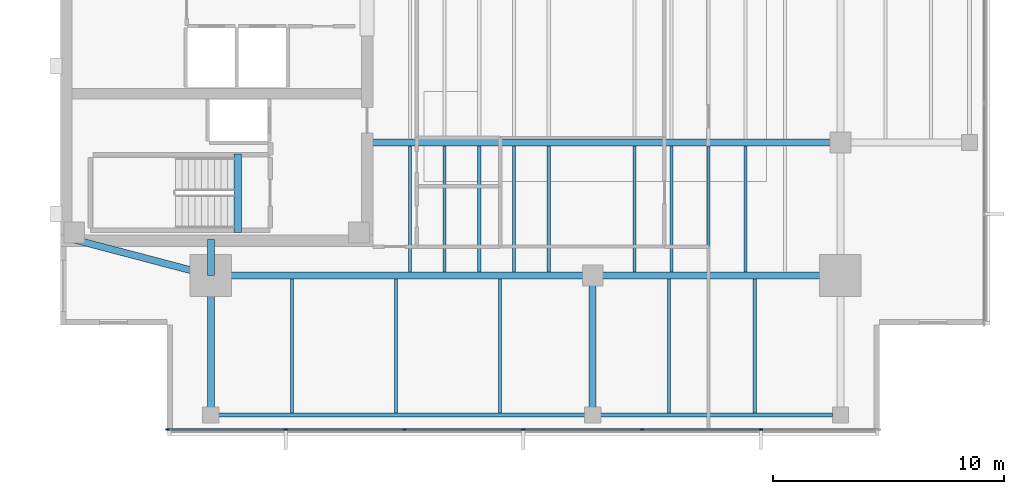
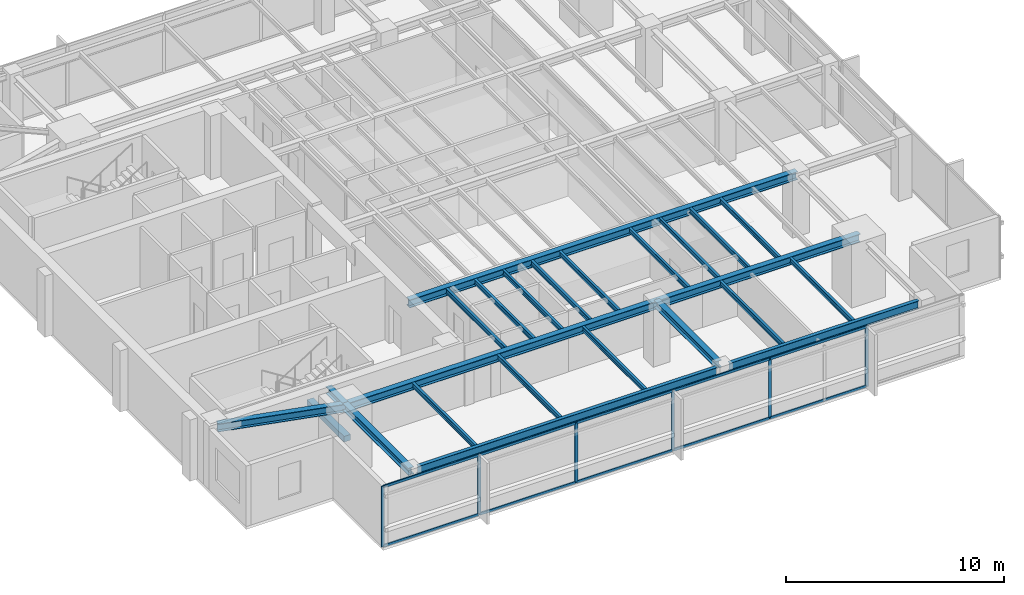
# One storey, part 2 of 14: 24 beams, 16 members, 1 element without a shape of its own.
"""IFC4 building model written with IfcOpenShell, lengths in metres."""

import ifcopenshell
import ifcopenshell.guid

model = None  # the IFC model being written
_history = None  # IfcOwnerHistory: only IFC2X3 demands one
_inside = {}  # id of a spatial element -> (the spatial element, [elements in it])
_under = {}  # id of a project, library or spatial element -> (it, [spatial elements below it])
_declared = {}  # id of a project -> (the project, [libraries it declares])
_typed = {}  # id of a type object -> (the type object, [elements of that type])
_made_of = {}  # id of a material, layer set ... -> (it, [elements and type objects made of it])


def new_model(schema):
    """Start an empty IFC model of exactly this schema.

    Asked for "IFC4X3", IfcOpenShell would pick the latest addendum, in which some entities
    have other attributes; the version numbers below select the first issue.
    IFC2X3 requires an IfcOwnerHistory on every rooted entity: one is made here for all.
    """
    global model, _history
    if schema == "IFC4X3":
        model = ifcopenshell.file(schema_version=(4, 3, 0, 0))
    else:
        model = ifcopenshell.file(schema=schema)
    _inside.clear()
    _under.clear()
    _declared.clear()
    _typed.clear()
    _made_of.clear()
    _history = None
    if model.schema == "IFC2X3":
        org = make("IfcOrganization", Name="unknown")
        user = make(
            "IfcPersonAndOrganization",
            ThePerson=make("IfcPerson", FamilyName="unknown"),
            TheOrganization=org,
        )
        app = make(
            "IfcApplication",
            ApplicationDeveloper=org,
            Version="unknown",
            ApplicationFullName="unknown",
            ApplicationIdentifier="unknown",
        )
        _history = make(
            "IfcOwnerHistory",
            OwningUser=user,
            OwningApplication=app,
            ChangeAction="ADDED",
            CreationDate=0,
        )
    return model


def make(cls, **values):
    """One entity of the class cls with the attributes given. An attribute that is None is left unset."""
    return model.create_entity(
        cls, **{name: value for name, value in values.items() if value is not None}
    )


def rooted(cls, **values):
    """An entity with a GlobalId (a new one), such as an element, a storey or a relation."""
    return make(cls, GlobalId=ifcopenshell.guid.new(), OwnerHistory=_history, **values)


def si_unit(unit_type, name, prefix=None):
    """IfcSIUnit, for example si_unit("LENGTHUNIT", "METRE", prefix="MILLI")."""
    return make("IfcSIUnit", UnitType=unit_type, Prefix=prefix, Name=name)


def assignment(units):
    """IfcUnitAssignment: the units of a project."""
    return None if units is None else make("IfcUnitAssignment", Units=units)


def point(xyz):
    """IfcCartesianPoint."""
    return None if xyz is None else make("IfcCartesianPoint", Coordinates=xyz)


def direction(xyz):
    """IfcDirection."""
    return None if xyz is None else make("IfcDirection", DirectionRatios=xyz)


def frame(location, z_axis=None, x_axis=None):
    """IfcAxis2Placement3D, a coordinate frame: its origin and axes. An axis left out is left unset."""
    return make(
        "IfcAxis2Placement3D",
        Location=point(location),
        Axis=direction(z_axis),
        RefDirection=direction(x_axis),
    )


def frame_2d(location, x_axis=None):
    """IfcAxis2Placement2D, a coordinate frame in the plane: its origin and x axis."""
    return make(
        "IfcAxis2Placement2D", Location=point(location), RefDirection=direction(x_axis)
    )


def origin():
    """The frame at (0, 0, 0) with its axes left unset."""
    return frame((0.0, 0.0, 0.0))


def origin_2d():
    """The frame at (0, 0) in the plane with its x axis left unset."""
    return frame_2d((0.0, 0.0))


def place(relative_to, where):
    """IfcLocalPlacement: puts the frame where relative to a parent placement (None: the world)."""
    return make(
        "IfcLocalPlacement", PlacementRelTo=relative_to, RelativePlacement=where
    )


def context(
    kind, dimensions, precision=None, world=None, true_north=None, identifier=None
):
    """IfcGeometricRepresentationContext, for example the 3D "Model" context."""
    return make(
        "IfcGeometricRepresentationContext",
        ContextIdentifier=identifier,
        ContextType=kind,
        CoordinateSpaceDimension=dimensions,
        Precision=precision,
        WorldCoordinateSystem=world,
        TrueNorth=true_north,
    )


def subcontext(parent, identifier, kind, view, scale=None):
    """IfcGeometricRepresentationSubContext, for example "Body" below "Model"."""
    return make(
        "IfcGeometricRepresentationSubContext",
        ContextIdentifier=identifier,
        ContextType=kind,
        ParentContext=parent,
        TargetScale=scale,
        TargetView=view,
    )


def project(units=None, contexts=None):
    """IfcProject with its units and contexts."""
    return rooted(
        "IfcProject",
        Name="project",
        RepresentationContexts=contexts,
        UnitsInContext=assignment(units),
    )


def spatial(cls, under=None, at=None, **own):
    """A site, building, storey or space (cls), placed at a placement, below another one or the project."""
    s = rooted(cls, ObjectPlacement=at, **own)
    if under is not None:
        _under.setdefault(under.id(), (under, []))[1].append(s)
    return s


def profile(cls, at=None, kind="AREA", **sizes):
    """A parametric profile (cls). Its sizes go by their IFC names, for example OverallWidth=200.0."""
    return make(cls, ProfileType=kind, Position=at, **sizes)


def rectangle(**sizes):
    """IfcRectangleProfileDef."""
    return profile("IfcRectangleProfileDef", **sizes)


def i_section(**sizes):
    """IfcIShapeProfileDef."""
    return profile("IfcIShapeProfileDef", **sizes)


def extrude(swept, where, along, depth):
    """IfcExtrudedAreaSolid: the profile swept, set in the frame where, extruded along a direction by depth."""
    return make(
        "IfcExtrudedAreaSolid",
        SweptArea=swept,
        Position=where,
        ExtrudedDirection=direction(along),
        Depth=depth,
    )


def shape(context_of_items, identifier, shape_type, items):
    """IfcShapeRepresentation: the items that make up one representation, for example the "Body"."""
    return make(
        "IfcShapeRepresentation",
        ContextOfItems=context_of_items,
        RepresentationIdentifier=identifier,
        RepresentationType=shape_type,
        Items=items,
    )


def material(Name=None, Category=None):
    """IfcMaterial."""
    return make("IfcMaterial", Name=Name, Category=Category)


def layer(
    of_material, thickness, ventilated=None, Name=None, Category=None, Priority=None
):
    """IfcMaterialLayer: one layer of a wall or slab, of a material (None: an air gap)."""
    return make(
        "IfcMaterialLayer",
        Material=of_material,
        LayerThickness=thickness,
        IsVentilated=ventilated,
        Name=Name,
        Category=Category,
        Priority=Priority,
    )


def layer_set(layers, Name=None):
    """IfcMaterialLayerSet."""
    return make("IfcMaterialLayerSet", MaterialLayers=layers, LayerSetName=Name)


def material_profile(
    of_material, cross_section, Name=None, Category=None, Priority=None
):
    """IfcMaterialProfile: a cross section and its material."""
    return make(
        "IfcMaterialProfile",
        Name=Name,
        Material=of_material,
        Profile=cross_section,
        Priority=Priority,
        Category=Category,
    )


def profile_set(profiles, Name=None, composite=None):
    """IfcMaterialProfileSet."""
    return make(
        "IfcMaterialProfileSet",
        Name=Name,
        MaterialProfiles=profiles,
        CompositeProfile=composite,
    )


def made_of(thing, what):
    """Note that an element or type object is made of a material, layer set ...; save() writes the relation."""
    if what is not None:
        _made_of.setdefault(what.id(), (what, []))[1].append(thing)
    return thing


def type_object(cls, material=None, **own):
    """A type object (cls), such as IfcWallType, which elements share."""
    return made_of(rooted(cls, **own), material)


def element(
    cls,
    number,
    at=None,
    inside=None,
    cuts=None,
    type_object=None,
    material=None,
    context=None,
    identifier="Body",
    shape_type=None,
    held_by="IfcProductDefinitionShape",
    body=None,
    shapes=None,
    **own,
):
    """One element of the class cls, such as IfcWall. Its Tag is "e" and its number.

    at: its placement. inside: the storey or other place that contains it. cuts: it is an
    opening in that element (IfcRelVoidsElement). A single representation is given by context,
    identifier, shape_type and body (its items); several are given by shapes. held_by: the class
    of the entity that holds the representations. save() writes the other relations.
    """
    e = rooted(cls, Tag="e%d" % number, ObjectPlacement=at, **own)
    if body is not None:
        shapes = [shape(context, identifier, shape_type, body)]
    if shapes is not None:
        e.Representation = make(held_by, Representations=shapes)
    if inside is not None:
        _inside.setdefault(inside.id(), (inside, []))[1].append(e)
    if cuts is not None:
        rooted(
            "IfcRelVoidsElement", RelatingBuildingElement=cuts, RelatedOpeningElement=e
        )
    if type_object is not None:
        _typed.setdefault(type_object.id(), (type_object, []))[1].append(e)
    return made_of(e, material)


def aggregate(whole, parts):
    """IfcRelAggregates: a whole, such as a stair, and the parts it consists of."""
    return rooted("IfcRelAggregates", RelatingObject=whole, RelatedObjects=parts)


def save(model, path):
    """Write the relations noted so far, then the file.

    IfcRelAggregates (storeys below a building ...), IfcRelContainedInSpatialStructure (elements
    in a storey), IfcRelDefinesByType, IfcRelAssociatesMaterial and IfcRelDeclares: one each for
    every whole, place, type object, material and project.
    """
    for whole, parts in _under.values():
        aggregate(whole, parts)
    for where, things in _inside.values():
        rooted(
            "IfcRelContainedInSpatialStructure",
            RelatedElements=things,
            RelatingStructure=where,
        )
    for kind, things in _typed.values():
        rooted("IfcRelDefinesByType", RelatedObjects=things, RelatingType=kind)
    for what, things in _made_of.values():
        rooted("IfcRelAssociatesMaterial", RelatedObjects=things, RelatingMaterial=what)
    for by, libraries in _declared.values():
        rooted("IfcRelDeclares", RelatingContext=by, RelatedDefinitions=libraries)
    model.write(path)


model = new_model("IFC4")

# Units and contexts
model_context = context("Model", 3, precision=1e-05, world=origin(), true_north=direction((0.0, 1.0)))
body_context = subcontext(model_context, "Body", "Model", "MODEL_VIEW")
ifc_project = project(units=[si_unit("LENGTHUNIT", "METRE"), si_unit("AREAUNIT", "SQUARE_METRE"), si_unit("VOLUMEUNIT", "CUBIC_METRE"), si_unit("PLANEANGLEUNIT", "RADIAN"), si_unit("MASSUNIT", "GRAM", prefix="KILO")], contexts=[model_context])

# Site, building, storey
site_placement = place(None, origin())
site = spatial("IfcSite", under=ifc_project, at=site_placement, CompositionType="ELEMENT")
building_placement = place(site_placement, origin())
building = spatial("IfcBuilding", under=site, at=building_placement, Name="Kinhvarn Gate Tower", CompositionType="ELEMENT")
storey_placement = place(building_placement, frame((0.0, 0.0, 259.89990234375)))
storey = spatial("IfcBuildingStorey", under=building, at=storey_placement, Name="L69", CompositionType="ELEMENT", Elevation=259.89990234375)

# Beam
ifc_material_1 = material(Name="Concrete C50/60", Category="concrete")
ifc_material_profile_1 = material_profile(ifc_material_1, rectangle(XDim=0.340087890625, YDim=0.320068359375, at=origin_2d()), Name="RC 340x320")
ifc_profile_set_1 = profile_set([ifc_material_profile_1], Name="Concrete C50/60")
beam_type_1 = type_object("IfcBeamType", Name="BM-LND-500", PredefinedType="BEAM", material=ifc_profile_set_1)
beam_1_placement = place(storey_placement, frame((12.1650390625, 14.60009765625, -0.159912109375), z_axis=(0.0, 1.0, 0.0), x_axis=(-1.0, 0.0, 0.0)))
element("IfcBeam", 1, at=beam_1_placement, inside=storey, type_object=beam_type_1, Name="Stair ST1 Landing Nosing Beam (L69)", PredefinedType="BEAM", context=body_context, shape_type="SweptSolid", body=[
    extrude(rectangle(XDim=0.340087890625, YDim=0.320068359375, at=origin_2d()), origin(), (0.0, 0.0, 1.0), 3.39990234375),
])

# Curtain wall, members
ifc_material_2 = material(Name="Anodised aluminium AW-6063", Category="aluminium")
ifc_layer = layer(ifc_material_2, 0.179931640625)
ifc_layer_set = layer_set([ifc_layer], Name="Anodised aluminium AW-6063")
curtain_wall_type = type_object("IfcCurtainWallType", Name="CW-SYS-3", PredefinedType="NOTDEFINED", material=ifc_layer_set)
curtain_wall_placement = place(storey_placement, origin())
curtain_wall = element("IfcCurtainWall", 2, at=curtain_wall_placement, inside=storey, type_object=curtain_wall_type, Name="Curtain Wall CW3 (L69)", PredefinedType="NOTDEFINED")
ifc_material_profile_2 = material_profile(ifc_material_2, rectangle(XDim=0.06494140625, YDim=0.159912109375, at=origin_2d()), Name="ALU 65x160")
ifc_profile_set_2 = profile_set([ifc_material_profile_2], Name="Anodised aluminium AW-6063")
member_type_1 = type_object("IfcMemberType", Name="CW-MUL-160", PredefinedType="MULLION", material=ifc_profile_set_2)
member_1_placement = place(storey_placement, frame((9.132568359375, 6.090087890625, 0.0), z_axis=(0.0, 0.0, 1.0), x_axis=(0.0, 1.0, 0.0)))
member_1 = element("IfcMember", 3, at=member_1_placement, type_object=member_type_1, Name="CW3 mullion 1", PredefinedType="MULLION", context=body_context, shape_type="SweptSolid", body=[
    extrude(rectangle(XDim=0.06494140625, YDim=0.159912109375, at=origin_2d()), origin(), (0.0, 0.0, 1.0), 3.39013671875),
])
member_2_placement = place(storey_placement, frame((14.2333984375, 6.090087890625, 0.0), z_axis=(0.0, 0.0, 1.0), x_axis=(0.0, 1.0, 0.0)))
member_2 = element("IfcMember", 4, at=member_2_placement, type_object=member_type_1, Name="CW3 mullion 2", PredefinedType="MULLION", context=body_context, shape_type="SweptSolid", body=[
    extrude(rectangle(XDim=0.06494140625, YDim=0.159912109375, at=origin_2d()), origin(), (0.0, 0.0, 1.0), 3.39013671875),
])
member_3_placement = place(storey_placement, frame((19.36669921875, 6.090087890625, 0.0), z_axis=(0.0, 0.0, 1.0), x_axis=(0.0, 1.0, 0.0)))
member_3 = element("IfcMember", 5, at=member_3_placement, type_object=member_type_1, Name="CW3 mullion 3", PredefinedType="MULLION", context=body_context, shape_type="SweptSolid", body=[
    extrude(rectangle(XDim=0.06494140625, YDim=0.159912109375, at=origin_2d()), origin(), (0.0, 0.0, 1.0), 3.39013671875),
])
member_4_placement = place(storey_placement, frame((24.5, 6.090087890625, 0.0), z_axis=(0.0, 0.0, 1.0), x_axis=(0.0, 1.0, 0.0)))
member_4 = element("IfcMember", 6, at=member_4_placement, type_object=member_type_1, Name="CW3 mullion 4", PredefinedType="MULLION", context=body_context, shape_type="SweptSolid", body=[
    extrude(rectangle(XDim=0.06494140625, YDim=0.159912109375, at=origin_2d()), origin(), (0.0, 0.0, 1.0), 3.39013671875),
])
member_5_placement = place(storey_placement, frame((29.63330078125, 6.090087890625, 0.0), z_axis=(0.0, 0.0, 1.0), x_axis=(0.0, 1.0, 0.0)))
member_5 = element("IfcMember", 7, at=member_5_placement, type_object=member_type_1, Name="CW3 mullion 5", PredefinedType="MULLION", context=body_context, shape_type="SweptSolid", body=[
    extrude(rectangle(XDim=0.06494140625, YDim=0.159912109375, at=origin_2d()), origin(), (0.0, 0.0, 1.0), 3.39013671875),
])
member_6_placement = place(storey_placement, frame((34.7666015625, 6.090087890625, 0.0), z_axis=(0.0, 0.0, 1.0), x_axis=(0.0, 1.0, 0.0)))
member_6 = element("IfcMember", 8, at=member_6_placement, type_object=member_type_1, Name="CW3 mullion 6", PredefinedType="MULLION", context=body_context, shape_type="SweptSolid", body=[
    extrude(rectangle(XDim=0.06494140625, YDim=0.159912109375, at=origin_2d()), origin(), (0.0, 0.0, 1.0), 3.39013671875),
])
ifc_material_profile_3 = material_profile(ifc_material_2, rectangle(XDim=0.070068359375, YDim=0.139892578125, at=origin_2d()), Name="ALU 70x140")
ifc_profile_set_3 = profile_set([ifc_material_profile_3], Name="Anodised aluminium AW-6063")
member_type_2 = type_object("IfcMemberType", Name="CW-TRN-140", PredefinedType="USERDEFINED", material=ifc_profile_set_3)
member_7_placement = place(storey_placement, frame((9.1650390625, 6.090087890625, 0.03515625), z_axis=(1.0, 0.0, 0.0), x_axis=(0.0, 1.0, 0.0)))
member_7 = element("IfcMember", 9, at=member_7_placement, type_object=member_type_2, Name="CW3 transom 1.1", ObjectType="TRANSOM", PredefinedType="USERDEFINED", context=body_context, shape_type="SweptSolid", body=[
    extrude(rectangle(XDim=0.070068359375, YDim=0.139892578125, at=origin_2d()), origin(), (0.0, 0.0, 1.0), 5.035888671875),
])
member_8_placement = place(storey_placement, frame((9.1650390625, 6.090087890625, 3.35498046875), z_axis=(1.0, 0.0, 0.0), x_axis=(0.0, 1.0, 0.0)))
member_8 = element("IfcMember", 10, at=member_8_placement, type_object=member_type_2, Name="CW3 transom 1.2", ObjectType="TRANSOM", PredefinedType="USERDEFINED", context=body_context, shape_type="SweptSolid", body=[
    extrude(rectangle(XDim=0.070068359375, YDim=0.139892578125, at=origin_2d()), origin(), (0.0, 0.0, 1.0), 5.035888671875),
])
member_9_placement = place(storey_placement, frame((14.265869140625, 6.090087890625, 0.03515625), z_axis=(1.0, 0.0, 0.0), x_axis=(0.0, 1.0, 0.0)))
member_9 = element("IfcMember", 11, at=member_9_placement, type_object=member_type_2, Name="CW3 transom 2.1", ObjectType="TRANSOM", PredefinedType="USERDEFINED", context=body_context, shape_type="SweptSolid", body=[
    extrude(rectangle(XDim=0.070068359375, YDim=0.139892578125, at=origin_2d()), origin(), (0.0, 0.0, 1.0), 5.068359375),
])
member_10_placement = place(storey_placement, frame((14.265869140625, 6.090087890625, 3.35498046875), z_axis=(1.0, 0.0, 0.0), x_axis=(0.0, 1.0, 0.0)))
member_10 = element("IfcMember", 12, at=member_10_placement, type_object=member_type_2, Name="CW3 transom 2.2", ObjectType="TRANSOM", PredefinedType="USERDEFINED", context=body_context, shape_type="SweptSolid", body=[
    extrude(rectangle(XDim=0.070068359375, YDim=0.139892578125, at=origin_2d()), origin(), (0.0, 0.0, 1.0), 5.068359375),
])
member_11_placement = place(storey_placement, frame((19.399169921875, 6.090087890625, 0.03515625), z_axis=(1.0, 0.0, 0.0), x_axis=(0.0, 1.0, 0.0)))
member_11 = element("IfcMember", 13, at=member_11_placement, type_object=member_type_2, Name="CW3 transom 3.1", ObjectType="TRANSOM", PredefinedType="USERDEFINED", context=body_context, shape_type="SweptSolid", body=[
    extrude(rectangle(XDim=0.070068359375, YDim=0.139892578125, at=origin_2d()), origin(), (0.0, 0.0, 1.0), 5.068359375),
])
member_12_placement = place(storey_placement, frame((19.399169921875, 6.090087890625, 3.35498046875), z_axis=(1.0, 0.0, 0.0), x_axis=(0.0, 1.0, 0.0)))
member_12 = element("IfcMember", 14, at=member_12_placement, type_object=member_type_2, Name="CW3 transom 3.2", ObjectType="TRANSOM", PredefinedType="USERDEFINED", context=body_context, shape_type="SweptSolid", body=[
    extrude(rectangle(XDim=0.070068359375, YDim=0.139892578125, at=origin_2d()), origin(), (0.0, 0.0, 1.0), 5.068359375),
])
member_13_placement = place(storey_placement, frame((24.532470703125, 6.090087890625, 0.03515625), z_axis=(1.0, 0.0, 0.0), x_axis=(0.0, 1.0, 0.0)))
member_13 = element("IfcMember", 15, at=member_13_placement, type_object=member_type_2, Name="CW3 transom 4.1", ObjectType="TRANSOM", PredefinedType="USERDEFINED", context=body_context, shape_type="SweptSolid", body=[
    extrude(rectangle(XDim=0.070068359375, YDim=0.139892578125, at=origin_2d()), origin(), (0.0, 0.0, 1.0), 5.068359375),
])
member_14_placement = place(storey_placement, frame((24.532470703125, 6.090087890625, 3.35498046875), z_axis=(1.0, 0.0, 0.0), x_axis=(0.0, 1.0, 0.0)))
member_14 = element("IfcMember", 16, at=member_14_placement, type_object=member_type_2, Name="CW3 transom 4.2", ObjectType="TRANSOM", PredefinedType="USERDEFINED", context=body_context, shape_type="SweptSolid", body=[
    extrude(rectangle(XDim=0.070068359375, YDim=0.139892578125, at=origin_2d()), origin(), (0.0, 0.0, 1.0), 5.068359375),
])
member_15_placement = place(storey_placement, frame((29.665771484375, 6.090087890625, 0.03515625), z_axis=(1.0, 0.0, 0.0), x_axis=(0.0, 1.0, 0.0)))
member_15 = element("IfcMember", 17, at=member_15_placement, type_object=member_type_2, Name="CW3 transom 5.1", ObjectType="TRANSOM", PredefinedType="USERDEFINED", context=body_context, shape_type="SweptSolid", body=[
    extrude(rectangle(XDim=0.070068359375, YDim=0.139892578125, at=origin_2d()), origin(), (0.0, 0.0, 1.0), 5.068359375),
])
member_16_placement = place(storey_placement, frame((29.665771484375, 6.090087890625, 3.35498046875), z_axis=(1.0, 0.0, 0.0), x_axis=(0.0, 1.0, 0.0)))
member_16 = element("IfcMember", 18, at=member_16_placement, type_object=member_type_2, Name="CW3 transom 5.2", ObjectType="TRANSOM", PredefinedType="USERDEFINED", context=body_context, shape_type="SweptSolid", body=[
    extrude(rectangle(XDim=0.070068359375, YDim=0.139892578125, at=origin_2d()), origin(), (0.0, 0.0, 1.0), 5.068359375),
])
aggregate(curtain_wall, [member_1, member_2, member_3, member_4, member_5, member_6, member_7, member_8, member_9, member_10, member_11, member_12, member_13, member_14, member_15, member_16])

# Beams
ifc_material_3 = material(Name="Steel S355", Category="steel")
ifc_material_profile_4 = material_profile(ifc_material_3, i_section(OverallWidth=0.300048828125, OverallDepth=0.39990234375, WebThickness=0.013427734375, FlangeThickness=0.02392578125, at=origin_2d()), Name="HEB 400")
ifc_profile_set_4 = profile_set([ifc_material_profile_4], Name="Steel S355")
beam_type_2 = type_object("IfcBeamType", Name="STL-HEB400", PredefinedType="BEAM", material=ifc_profile_set_4)
beam_2_placement = place(storey_placement, frame((11.0, 6.719970703125, 3.190185546875), z_axis=(0.0, 1.0, 0.0), x_axis=(-1.0, 0.0, 0.0)))
element("IfcBeam", 19, at=beam_2_placement, inside=storey, type_object=beam_type_2, Name="Floor Beam PG-12 (L69 MCW-S)", PredefinedType="BEAM", context=body_context, shape_type="SweptSolid", body=[
    extrude(i_section(OverallWidth=0.300048828125, OverallDepth=0.39990234375, WebThickness=0.013427734375, FlangeThickness=0.02392578125, at=origin_2d()), origin(), (0.0, 0.0, 1.0), 6.030029296875),
])
beam_3_placement = place(storey_placement, frame((11.0, 12.75, 3.190185546875), z_axis=(0.0, 1.0, 0.0), x_axis=(-1.0, 0.0, 0.0)))
element("IfcBeam", 20, at=beam_3_placement, inside=storey, type_object=beam_type_2, Name="Floor Beam PG-12 (L69 MCW-CS)", PredefinedType="BEAM", context=body_context, shape_type="SweptSolid", body=[
    extrude(i_section(OverallWidth=0.300048828125, OverallDepth=0.39990234375, WebThickness=0.013427734375, FlangeThickness=0.02392578125, at=origin_2d()), origin(), (0.0, 0.0, 1.0), 1.550048828125),
])
beam_4_placement = place(storey_placement, frame((27.5, 7.054931640625, 3.190185546875), z_axis=(0.0, 1.0, 0.0), x_axis=(-1.0, 0.0, 0.0)))
element("IfcBeam", 21, at=beam_4_placement, inside=storey, type_object=beam_type_2, Name="Floor Beam PG-12 (L69 SP27-S-TIE)", PredefinedType="BEAM", context=body_context, shape_type="SweptSolid", body=[
    extrude(i_section(OverallWidth=0.300048828125, OverallDepth=0.39990234375, WebThickness=0.013427734375, FlangeThickness=0.02392578125, at=origin_2d()), origin(), (0.0, 0.0, 1.0), 5.695068359375),
])
ifc_material_profile_5 = material_profile(ifc_material_3, i_section(OverallWidth=0.300048828125, OverallDepth=0.449951171875, WebThickness=0.013916015625, FlangeThickness=0.02587890625, at=origin_2d()), Name="HEB 450")
ifc_profile_set_5 = profile_set([ifc_material_profile_5], Name="Steel S355")
beam_type_3 = type_object("IfcBeamType", Name="STL-HEB450", PredefinedType="BEAM", material=ifc_profile_set_5)
beam_5_placement = place(storey_placement, frame((11.0, 12.75, 3.1650390625), z_axis=(1.0, 0.0, 0.0), x_axis=(0.0, 1.0, 0.0)))
element("IfcBeam", 22, at=beam_5_placement, inside=storey, type_object=beam_type_3, Name="Floor Beam PG-13 (L69 MG-S1)", PredefinedType="BEAM", context=body_context, shape_type="SweptSolid", body=[
    extrude(i_section(OverallWidth=0.300048828125, OverallDepth=0.449951171875, WebThickness=0.013916015625, FlangeThickness=0.02587890625, at=origin_2d()), origin(), (0.0, 0.0, 1.0), 16.5),
])
beam_6_placement = place(storey_placement, frame((27.5, 12.75, 3.1650390625), z_axis=(1.0, 0.0, 0.0), x_axis=(0.0, 1.0, 0.0)))
element("IfcBeam", 23, at=beam_6_placement, inside=storey, type_object=beam_type_3, Name="Floor Beam PG-13 (L69 MG-S2)", PredefinedType="BEAM", context=body_context, shape_type="SweptSolid", body=[
    extrude(i_section(OverallWidth=0.300048828125, OverallDepth=0.449951171875, WebThickness=0.013916015625, FlangeThickness=0.02587890625, at=origin_2d()), origin(), (0.0, 0.0, 1.0), 10.699951171875),
])
beam_7_placement = place(storey_placement, frame((5.10009765625, 14.300048828125, 3.1650390625), z_axis=(0.967177623957, -0.254101246979, 0.0), x_axis=(0.254101246979, 0.967177623957, 0.0)))
element("IfcBeam", 24, at=beam_7_placement, inside=storey, type_object=beam_type_3, Name="Floor Beam PG-13 (L69 MG-SW-DIAG)", PredefinedType="BEAM", context=body_context, shape_type="SweptSolid", body=[
    extrude(i_section(OverallWidth=0.300048828125, OverallDepth=0.449951171875, WebThickness=0.013916015625, FlangeThickness=0.02587890625, at=origin_2d()), origin(), (0.0, 0.0, 1.0), 6.10009765625),
])
beam_8_placement = place(storey_placement, frame((17.64990234375, 18.5, 3.1650390625), z_axis=(1.0, 0.0, 0.0), x_axis=(0.0, 1.0, 0.0)))
element("IfcBeam", 25, at=beam_8_placement, inside=storey, type_object=beam_type_3, Name="Floor Beam PG-13 (L69 EW1-Y18)", PredefinedType="BEAM", context=body_context, shape_type="SweptSolid", body=[
    extrude(i_section(OverallWidth=0.300048828125, OverallDepth=0.449951171875, WebThickness=0.013916015625, FlangeThickness=0.02587890625, at=origin_2d()), origin(), (0.0, 0.0, 1.0), 20.550048828125),
])
ifc_material_profile_6 = material_profile(ifc_material_3, i_section(OverallWidth=0.135009765625, OverallDepth=0.27001953125, WebThickness=0.006591796875, FlangeThickness=0.01025390625, at=origin_2d()), Name="IPE 270")
ifc_profile_set_6 = profile_set([ifc_material_profile_6], Name="Steel S355")
beam_type_4 = type_object("IfcBeamType", Name="STL-IPE270", PredefinedType="JOIST", material=ifc_profile_set_6)
for number, where, z_axis, x_axis, name in (
    (26, (19.60009765625, 12.89990234375, 3.255126953125), (0.0, 1.0, 0.0), (-1.0, 0.0, 0.0), "Floor Joist SB-01 (L69 JC-X196-0)"),
    (27, (21.10009765625, 12.89990234375, 3.255126953125), (0.0, 1.0, 0.0), (-1.0, 0.0, 0.0), "Floor Joist SB-01 (L69 JC-X211-0)"),
    (28, (22.60009765625, 12.89990234375, 3.255126953125), (0.0, 1.0, 0.0), (-1.0, 0.0, 0.0), "Floor Joist SB-01 (L69 JC-X226-0)"),
    (29, (24.10009765625, 12.89990234375, 3.255126953125), (0.0, 1.0, 0.0), (-1.0, 0.0, 0.0), "Floor Joist SB-01 (L69 JC-X241-0)"),
    (30, (25.60009765625, 12.89990234375, 3.255126953125), (0.0, 1.0, 0.0), (-1.0, 0.0, 0.0), "Floor Joist SB-01 (L69 JC-X256-0)"),
    (31, (29.300048828125, 12.89990234375, 3.255126953125), (0.0, 1.0, 0.0), (-1.0, 0.0, 0.0), "Floor Joist SB-01 (L69 JC-X293-0)"),
    (32, (30.89990234375, 12.89990234375, 3.255126953125), (0.0, 1.0, 0.0), (-1.0, 0.0, 0.0), "Floor Joist SB-01 (L69 JC-X309-0)"),
    (33, (32.5, 12.89990234375, 3.255126953125), (0.0, 1.0, 0.0), (-1.0, 0.0, 0.0), "Floor Joist SB-01 (L69 JC-X325-0)"),
    (34, (34.10009765625, 12.89990234375, 3.255126953125), (0.0, 1.0, 0.0), (-1.0, 0.0, 0.0), "Floor Joist SB-01 (L69 JC-X341-0)"),
):
    element("IfcBeam", number, at=place(storey_placement, frame(where, z_axis=z_axis, x_axis=x_axis)), inside=storey, type_object=beam_type_4, Name=name, PredefinedType="JOIST", context=body_context, shape_type="SweptSolid", body=[
        extrude(i_section(OverallWidth=0.135009765625, OverallDepth=0.27001953125, WebThickness=0.006591796875, FlangeThickness=0.01025390625, at=origin_2d()), origin(), (0.0, 0.0, 1.0), 5.4501953125),
    ])
for number, where, z_axis, x_axis, name in (
    (35, (14.5, 6.81494140625, 3.255126953125), (0.0, 1.0, 0.0), (-1.0, 0.0, 0.0), "Floor Joist SB-01 (L69 JS-X145)"),
    (36, (19.0, 6.81494140625, 3.255126953125), (0.0, 1.0, 0.0), (-1.0, 0.0, 0.0), "Floor Joist SB-01 (L69 JS-X190)"),
    (37, (23.5, 6.81494140625, 3.255126953125), (0.0, 1.0, 0.0), (-1.0, 0.0, 0.0), "Floor Joist SB-01 (L69 JS-X235)"),
    (38, (30.800048828125, 6.81494140625, 3.255126953125), (0.0, 1.0, 0.0), (-1.0, 0.0, 0.0), "Floor Joist SB-01 (L69 JS-X308)"),
    (39, (34.5, 6.81494140625, 3.255126953125), (0.0, 1.0, 0.0), (-1.0, 0.0, 0.0), "Floor Joist SB-01 (L69 JS-X345)"),
):
    element("IfcBeam", number, at=place(storey_placement, frame(where, z_axis=z_axis, x_axis=x_axis)), inside=storey, type_object=beam_type_4, Name=name, PredefinedType="JOIST", context=body_context, shape_type="SweptSolid", body=[
        extrude(i_section(OverallWidth=0.135009765625, OverallDepth=0.27001953125, WebThickness=0.006591796875, FlangeThickness=0.01025390625, at=origin_2d()), origin(), (0.0, 0.0, 1.0), 5.78515625),
    ])
ifc_material_profile_7 = material_profile(ifc_material_3, i_section(OverallWidth=0.18994140625, OverallDepth=0.449951171875, WebThickness=0.009521484375, FlangeThickness=0.0146484375, at=origin_2d()), Name="IPE 450")
ifc_profile_set_7 = profile_set([ifc_material_profile_7], Name="Steel S355")
beam_type_5 = type_object("IfcBeamType", Name="STL-IPE450", PredefinedType="JOIST", material=ifc_profile_set_7)
beam_9_placement = place(storey_placement, frame((11.3349609375, 6.719970703125, 3.1650390625), z_axis=(1.0, 0.0, 0.0), x_axis=(0.0, 1.0, 0.0)))
element("IfcBeam", 40, at=beam_9_placement, inside=storey, type_object=beam_type_5, Name="Floor Joist SB-06 (L69 SP-S1)", PredefinedType="JOIST", context=body_context, shape_type="SweptSolid", body=[
    extrude(i_section(OverallWidth=0.18994140625, OverallDepth=0.449951171875, WebThickness=0.009521484375, FlangeThickness=0.0146484375, at=origin_2d()), origin(), (0.0, 0.0, 1.0), 15.830078125),
])
beam_10_placement = place(storey_placement, frame((27.8349609375, 6.719970703125, 3.1650390625), z_axis=(1.0, 0.0, 0.0), x_axis=(0.0, 1.0, 0.0)))
element("IfcBeam", 41, at=beam_10_placement, inside=storey, type_object=beam_type_5, Name="Floor Joist SB-06 (L69 SP-S2)", PredefinedType="JOIST", context=body_context, shape_type="SweptSolid", body=[
    extrude(i_section(OverallWidth=0.18994140625, OverallDepth=0.449951171875, WebThickness=0.009521484375, FlangeThickness=0.0146484375, at=origin_2d()), origin(), (0.0, 0.0, 1.0), 10.030029296875),
])

save(model, "model.ifc")
